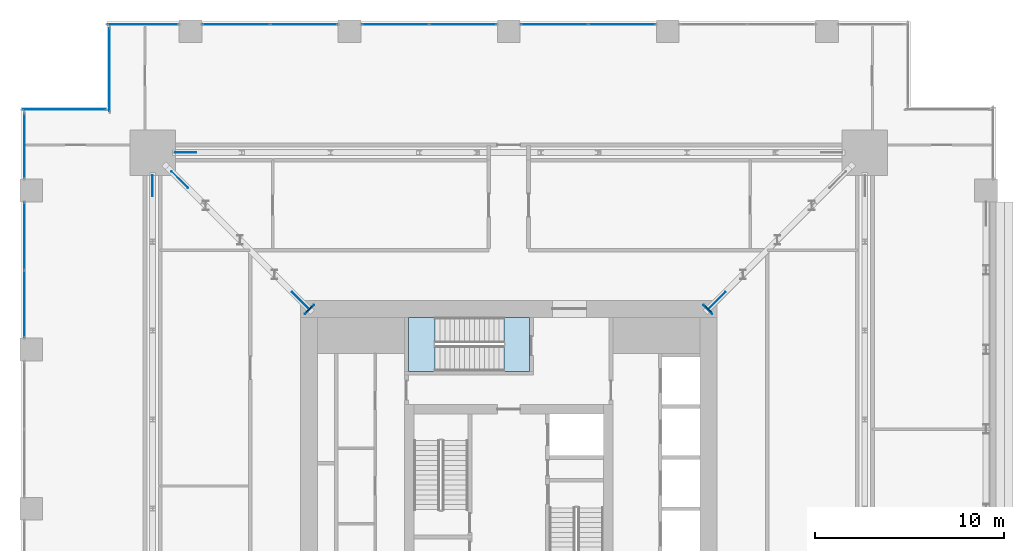
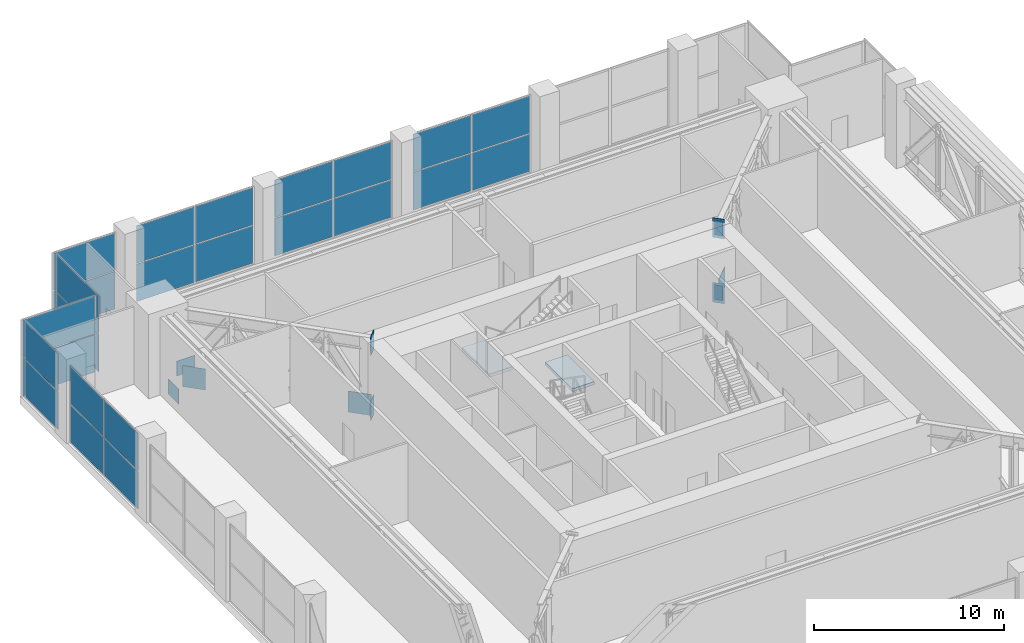
# One storey, part 14 of 21: 37 plates, 2 slabs, 9 elements without a shape of their own.
"""IFC4 building model written with IfcOpenShell, lengths in metres."""

import ifcopenshell
import ifcopenshell.guid

model = None  # the IFC model being written
_history = None  # IfcOwnerHistory: only IFC2X3 demands one
_inside = {}  # id of a spatial element -> (the spatial element, [elements in it])
_under = {}  # id of a project, library or spatial element -> (it, [spatial elements below it])
_declared = {}  # id of a project -> (the project, [libraries it declares])
_typed = {}  # id of a type object -> (the type object, [elements of that type])
_made_of = {}  # id of a material, layer set ... -> (it, [elements and type objects made of it])


def new_model(schema):
    """Start an empty IFC model of exactly this schema.

    Asked for "IFC4X3", IfcOpenShell would pick the latest addendum, in which some entities
    have other attributes; the version numbers below select the first issue.
    IFC2X3 requires an IfcOwnerHistory on every rooted entity: one is made here for all.
    """
    global model, _history
    if schema == "IFC4X3":
        model = ifcopenshell.file(schema_version=(4, 3, 0, 0))
    else:
        model = ifcopenshell.file(schema=schema)
    _inside.clear()
    _under.clear()
    _declared.clear()
    _typed.clear()
    _made_of.clear()
    _history = None
    if model.schema == "IFC2X3":
        org = make("IfcOrganization", Name="unknown")
        user = make(
            "IfcPersonAndOrganization",
            ThePerson=make("IfcPerson", FamilyName="unknown"),
            TheOrganization=org,
        )
        app = make(
            "IfcApplication",
            ApplicationDeveloper=org,
            Version="unknown",
            ApplicationFullName="unknown",
            ApplicationIdentifier="unknown",
        )
        _history = make(
            "IfcOwnerHistory",
            OwningUser=user,
            OwningApplication=app,
            ChangeAction="ADDED",
            CreationDate=0,
        )
    return model


def make(cls, **values):
    """One entity of the class cls with the attributes given. An attribute that is None is left unset."""
    return model.create_entity(
        cls, **{name: value for name, value in values.items() if value is not None}
    )


def rooted(cls, **values):
    """An entity with a GlobalId (a new one), such as an element, a storey or a relation."""
    return make(cls, GlobalId=ifcopenshell.guid.new(), OwnerHistory=_history, **values)


def si_unit(unit_type, name, prefix=None):
    """IfcSIUnit, for example si_unit("LENGTHUNIT", "METRE", prefix="MILLI")."""
    return make("IfcSIUnit", UnitType=unit_type, Prefix=prefix, Name=name)


def assignment(units):
    """IfcUnitAssignment: the units of a project."""
    return None if units is None else make("IfcUnitAssignment", Units=units)


def point(xyz):
    """IfcCartesianPoint."""
    return None if xyz is None else make("IfcCartesianPoint", Coordinates=xyz)


def direction(xyz):
    """IfcDirection."""
    return None if xyz is None else make("IfcDirection", DirectionRatios=xyz)


def frame(location, z_axis=None, x_axis=None):
    """IfcAxis2Placement3D, a coordinate frame: its origin and axes. An axis left out is left unset."""
    return make(
        "IfcAxis2Placement3D",
        Location=point(location),
        Axis=direction(z_axis),
        RefDirection=direction(x_axis),
    )


def frame_2d(location, x_axis=None):
    """IfcAxis2Placement2D, a coordinate frame in the plane: its origin and x axis."""
    return make(
        "IfcAxis2Placement2D", Location=point(location), RefDirection=direction(x_axis)
    )


def origin():
    """The frame at (0, 0, 0) with its axes left unset."""
    return frame((0.0, 0.0, 0.0))


def origin_2d():
    """The frame at (0, 0) in the plane with its x axis left unset."""
    return frame_2d((0.0, 0.0))


def place(relative_to, where):
    """IfcLocalPlacement: puts the frame where relative to a parent placement (None: the world)."""
    return make(
        "IfcLocalPlacement", PlacementRelTo=relative_to, RelativePlacement=where
    )


def context(
    kind, dimensions, precision=None, world=None, true_north=None, identifier=None
):
    """IfcGeometricRepresentationContext, for example the 3D "Model" context."""
    return make(
        "IfcGeometricRepresentationContext",
        ContextIdentifier=identifier,
        ContextType=kind,
        CoordinateSpaceDimension=dimensions,
        Precision=precision,
        WorldCoordinateSystem=world,
        TrueNorth=true_north,
    )


def subcontext(parent, identifier, kind, view, scale=None):
    """IfcGeometricRepresentationSubContext, for example "Body" below "Model"."""
    return make(
        "IfcGeometricRepresentationSubContext",
        ContextIdentifier=identifier,
        ContextType=kind,
        ParentContext=parent,
        TargetScale=scale,
        TargetView=view,
    )


def project(units=None, contexts=None):
    """IfcProject with its units and contexts."""
    return rooted(
        "IfcProject",
        Name="project",
        RepresentationContexts=contexts,
        UnitsInContext=assignment(units),
    )


def spatial(cls, under=None, at=None, **own):
    """A site, building, storey or space (cls), placed at a placement, below another one or the project."""
    s = rooted(cls, ObjectPlacement=at, **own)
    if under is not None:
        _under.setdefault(under.id(), (under, []))[1].append(s)
    return s


def polyline(points):
    """IfcPolyline through the points."""
    return make("IfcPolyline", Points=[point(p) for p in points])


def profile(cls, at=None, kind="AREA", **sizes):
    """A parametric profile (cls). Its sizes go by their IFC names, for example OverallWidth=200.0."""
    return make(cls, ProfileType=kind, Position=at, **sizes)


def rectangle(**sizes):
    """IfcRectangleProfileDef."""
    return profile("IfcRectangleProfileDef", **sizes)


def outline(outer, holes=None, kind="AREA"):
    """IfcArbitraryClosedProfileDef: a profile drawn as a closed curve; with holes, ...WithVoids."""
    if holes is None:
        return make("IfcArbitraryClosedProfileDef", ProfileType=kind, OuterCurve=outer)
    return make(
        "IfcArbitraryProfileDefWithVoids",
        ProfileType=kind,
        OuterCurve=outer,
        InnerCurves=holes,
    )


def extrude(swept, where, along, depth):
    """IfcExtrudedAreaSolid: the profile swept, set in the frame where, extruded along a direction by depth."""
    return make(
        "IfcExtrudedAreaSolid",
        SweptArea=swept,
        Position=where,
        ExtrudedDirection=direction(along),
        Depth=depth,
    )


def shape(context_of_items, identifier, shape_type, items):
    """IfcShapeRepresentation: the items that make up one representation, for example the "Body"."""
    return make(
        "IfcShapeRepresentation",
        ContextOfItems=context_of_items,
        RepresentationIdentifier=identifier,
        RepresentationType=shape_type,
        Items=items,
    )


def material(Name=None, Category=None):
    """IfcMaterial."""
    return make("IfcMaterial", Name=Name, Category=Category)


def layer(
    of_material, thickness, ventilated=None, Name=None, Category=None, Priority=None
):
    """IfcMaterialLayer: one layer of a wall or slab, of a material (None: an air gap)."""
    return make(
        "IfcMaterialLayer",
        Material=of_material,
        LayerThickness=thickness,
        IsVentilated=ventilated,
        Name=Name,
        Category=Category,
        Priority=Priority,
    )


def layer_set(layers, Name=None):
    """IfcMaterialLayerSet."""
    return make("IfcMaterialLayerSet", MaterialLayers=layers, LayerSetName=Name)


def made_of(thing, what):
    """Note that an element or type object is made of a material, layer set ...; save() writes the relation."""
    if what is not None:
        _made_of.setdefault(what.id(), (what, []))[1].append(thing)
    return thing


def type_object(cls, material=None, **own):
    """A type object (cls), such as IfcWallType, which elements share."""
    return made_of(rooted(cls, **own), material)


def element(
    cls,
    number,
    at=None,
    inside=None,
    cuts=None,
    type_object=None,
    material=None,
    context=None,
    identifier="Body",
    shape_type=None,
    held_by="IfcProductDefinitionShape",
    body=None,
    shapes=None,
    **own,
):
    """One element of the class cls, such as IfcWall. Its Tag is "e" and its number.

    at: its placement. inside: the storey or other place that contains it. cuts: it is an
    opening in that element (IfcRelVoidsElement). A single representation is given by context,
    identifier, shape_type and body (its items); several are given by shapes. held_by: the class
    of the entity that holds the representations. save() writes the other relations.
    """
    e = rooted(cls, Tag="e%d" % number, ObjectPlacement=at, **own)
    if body is not None:
        shapes = [shape(context, identifier, shape_type, body)]
    if shapes is not None:
        e.Representation = make(held_by, Representations=shapes)
    if inside is not None:
        _inside.setdefault(inside.id(), (inside, []))[1].append(e)
    if cuts is not None:
        rooted(
            "IfcRelVoidsElement", RelatingBuildingElement=cuts, RelatedOpeningElement=e
        )
    if type_object is not None:
        _typed.setdefault(type_object.id(), (type_object, []))[1].append(e)
    return made_of(e, material)


def aggregate(whole, parts):
    """IfcRelAggregates: a whole, such as a stair, and the parts it consists of."""
    return rooted("IfcRelAggregates", RelatingObject=whole, RelatedObjects=parts)


def save(model, path):
    """Write the relations noted so far, then the file.

    IfcRelAggregates (storeys below a building ...), IfcRelContainedInSpatialStructure (elements
    in a storey), IfcRelDefinesByType, IfcRelAssociatesMaterial and IfcRelDeclares: one each for
    every whole, place, type object, material and project.
    """
    for whole, parts in _under.values():
        aggregate(whole, parts)
    for where, things in _inside.values():
        rooted(
            "IfcRelContainedInSpatialStructure",
            RelatedElements=things,
            RelatingStructure=where,
        )
    for kind, things in _typed.values():
        rooted("IfcRelDefinesByType", RelatedObjects=things, RelatingType=kind)
    for what, things in _made_of.values():
        rooted("IfcRelAssociatesMaterial", RelatedObjects=things, RelatingMaterial=what)
    for by, libraries in _declared.values():
        rooted("IfcRelDeclares", RelatingContext=by, RelatedDefinitions=libraries)
    model.write(path)


model = new_model("IFC4")

# Units and contexts
model_context = context("Model", 3, precision=1e-05, world=origin(), true_north=direction((0.0, 1.0)))
body_context = subcontext(model_context, "Body", "Model", "MODEL_VIEW")
ifc_project = project(units=[si_unit("LENGTHUNIT", "METRE"), si_unit("AREAUNIT", "SQUARE_METRE"), si_unit("VOLUMEUNIT", "CUBIC_METRE"), si_unit("PLANEANGLEUNIT", "RADIAN"), si_unit("MASSUNIT", "GRAM", prefix="KILO")], contexts=[model_context])

# Site, building, storey
site_placement = place(None, origin())
site = spatial("IfcSite", under=ifc_project, at=site_placement, CompositionType="ELEMENT")
building_placement = place(site_placement, origin())
building = spatial("IfcBuilding", under=site, at=building_placement, Name="Khepri Terraces", CompositionType="ELEMENT")
storey_placement = place(building_placement, frame((0.0, 0.0, 235.199951171875)))
storey = spatial("IfcBuildingStorey", under=building, at=storey_placement, Name="L56", CompositionType="ELEMENT", Elevation=235.199951171875)

# Curtain wall, plates
ifc_material_1 = material(Name="Anodised aluminium bronze curtain wall", Category="aluminium")
curtain_wall_type = type_object("IfcCurtainWallType", Name="CW-SYS3-SKY", PredefinedType="NOTDEFINED", material=ifc_material_1)
curtain_wall_1_placement = place(storey_placement, origin())
curtain_wall_1 = element("IfcCurtainWall", 1, at=curtain_wall_1_placement, inside=storey, type_object=curtain_wall_type, Name="Curtain wall CW3 L56 N", PredefinedType="NOTDEFINED")
ifc_material_2 = material(Name="Clear glass", Category="glass")
ifc_layer_1 = layer(ifc_material_2, 0.028076171875, Name="Clear glass", Category="glass")
ifc_layer_set_1 = layer_set([ifc_layer_1], Name="Clear glass")
plate_type_1 = type_object("IfcPlateType", Name="CW-PANEL-VISION-28", PredefinedType="CURTAIN_PANEL", material=ifc_layer_set_1)
plate_1_placement = place(storey_placement, frame((5.985107421875, 25.570068359375, 0.06005859375), z_axis=(0.0, 0.0, 1.0), x_axis=(-1.0, 0.0, 0.0)))
plate_1 = element("IfcPlate", 2, at=plate_1_placement, type_object=plate_type_1, Name="CW3 panel 1.1", PredefinedType="CURTAIN_PANEL", context=body_context, shape_type="SweptSolid", body=[
    extrude(rectangle(XDim=3.510009765625, YDim=0.028076171875, at=origin_2d()), origin(), (0.0, 0.0, 1.0), 2.39990234375),
])
plate_2_placement = place(storey_placement, frame((5.985107421875, 25.570068359375, 2.52001953125), z_axis=(0.0, 0.0, 1.0), x_axis=(-1.0, 0.0, 0.0)))
plate_2 = element("IfcPlate", 3, at=plate_2_placement, type_object=plate_type_1, Name="CW3 panel 1.2", PredefinedType="CURTAIN_PANEL", context=body_context, shape_type="SweptSolid", body=[
    extrude(rectangle(XDim=3.510009765625, YDim=0.028076171875, at=origin_2d()), origin(), (0.0, 0.0, 1.0), 2.39990234375),
])
plate_3_placement = place(storey_placement, frame((2.4150390625, 25.570068359375, 0.06005859375), z_axis=(0.0, 0.0, 1.0), x_axis=(-1.0, 0.0, 0.0)))
plate_3 = element("IfcPlate", 4, at=plate_3_placement, type_object=plate_type_1, Name="CW3 panel 2.1", PredefinedType="CURTAIN_PANEL", context=body_context, shape_type="SweptSolid", body=[
    extrude(rectangle(XDim=3.510009765625, YDim=0.028076171875, at=origin_2d()), origin(), (0.0, 0.0, 1.0), 2.39990234375),
])
plate_4_placement = place(storey_placement, frame((2.4150390625, 25.570068359375, 2.52001953125), z_axis=(0.0, 0.0, 1.0), x_axis=(-1.0, 0.0, 0.0)))
plate_4 = element("IfcPlate", 5, at=plate_4_placement, type_object=plate_type_1, Name="CW3 panel 2.2", PredefinedType="CURTAIN_PANEL", context=body_context, shape_type="SweptSolid", body=[
    extrude(rectangle(XDim=3.510009765625, YDim=0.028076171875, at=origin_2d()), origin(), (0.0, 0.0, 1.0), 2.39990234375),
])
aggregate(curtain_wall_1, [plate_1, plate_2, plate_3, plate_4])

curtain_wall_2_placement = place(storey_placement, origin())
curtain_wall_2 = element("IfcCurtainWall", 6, at=curtain_wall_2_placement, inside=storey, type_object=curtain_wall_type, Name="Curtain wall CW3 L56 N", PredefinedType="NOTDEFINED")
plate_5_placement = place(storey_placement, frame((-2.4150390625, 25.570068359375, 0.06005859375), z_axis=(0.0, 0.0, 1.0), x_axis=(-1.0, 0.0, 0.0)))
plate_5 = element("IfcPlate", 7, at=plate_5_placement, type_object=plate_type_1, Name="CW3 panel 1.1", PredefinedType="CURTAIN_PANEL", context=body_context, shape_type="SweptSolid", body=[
    extrude(rectangle(XDim=3.510009765625, YDim=0.028076171875, at=origin_2d()), origin(), (0.0, 0.0, 1.0), 2.39990234375),
])
plate_6_placement = place(storey_placement, frame((-2.4150390625, 25.570068359375, 2.52001953125), z_axis=(0.0, 0.0, 1.0), x_axis=(-1.0, 0.0, 0.0)))
plate_6 = element("IfcPlate", 8, at=plate_6_placement, type_object=plate_type_1, Name="CW3 panel 1.2", PredefinedType="CURTAIN_PANEL", context=body_context, shape_type="SweptSolid", body=[
    extrude(rectangle(XDim=3.510009765625, YDim=0.028076171875, at=origin_2d()), origin(), (0.0, 0.0, 1.0), 2.39990234375),
])
plate_7_placement = place(storey_placement, frame((-5.985107421875, 25.570068359375, 0.06005859375), z_axis=(0.0, 0.0, 1.0), x_axis=(-1.0, 0.0, 0.0)))
plate_7 = element("IfcPlate", 9, at=plate_7_placement, type_object=plate_type_1, Name="CW3 panel 2.1", PredefinedType="CURTAIN_PANEL", context=body_context, shape_type="SweptSolid", body=[
    extrude(rectangle(XDim=3.510009765625, YDim=0.028076171875, at=origin_2d()), origin(), (0.0, 0.0, 1.0), 2.39990234375),
])
plate_8_placement = place(storey_placement, frame((-5.985107421875, 25.570068359375, 2.52001953125), z_axis=(0.0, 0.0, 1.0), x_axis=(-1.0, 0.0, 0.0)))
plate_8 = element("IfcPlate", 10, at=plate_8_placement, type_object=plate_type_1, Name="CW3 panel 2.2", PredefinedType="CURTAIN_PANEL", context=body_context, shape_type="SweptSolid", body=[
    extrude(rectangle(XDim=3.510009765625, YDim=0.028076171875, at=origin_2d()), origin(), (0.0, 0.0, 1.0), 2.39990234375),
])
aggregate(curtain_wall_2, [plate_5, plate_6, plate_7, plate_8])

curtain_wall_3_placement = place(storey_placement, origin())
curtain_wall_3 = element("IfcCurtainWall", 11, at=curtain_wall_3_placement, inside=storey, type_object=curtain_wall_type, Name="Curtain wall CW3 L56 N", PredefinedType="NOTDEFINED")
plate_9_placement = place(storey_placement, frame((-10.81494140625, 25.570068359375, 0.06005859375), z_axis=(0.0, 0.0, 1.0), x_axis=(-1.0, 0.0, 0.0)))
plate_9 = element("IfcPlate", 12, at=plate_9_placement, type_object=plate_type_1, Name="CW3 panel 1.1", PredefinedType="CURTAIN_PANEL", context=body_context, shape_type="SweptSolid", body=[
    extrude(rectangle(XDim=3.510009765625, YDim=0.028076171875, at=origin_2d()), origin(), (0.0, 0.0, 1.0), 2.39990234375),
])
plate_10_placement = place(storey_placement, frame((-10.81494140625, 25.570068359375, 2.52001953125), z_axis=(0.0, 0.0, 1.0), x_axis=(-1.0, 0.0, 0.0)))
plate_10 = element("IfcPlate", 13, at=plate_10_placement, type_object=plate_type_1, Name="CW3 panel 1.2", PredefinedType="CURTAIN_PANEL", context=body_context, shape_type="SweptSolid", body=[
    extrude(rectangle(XDim=3.510009765625, YDim=0.028076171875, at=origin_2d()), origin(), (0.0, 0.0, 1.0), 2.39990234375),
])
plate_11_placement = place(storey_placement, frame((-14.385009765625, 25.570068359375, 0.06005859375), z_axis=(0.0, 0.0, 1.0), x_axis=(-1.0, 0.0, 0.0)))
plate_11 = element("IfcPlate", 14, at=plate_11_placement, type_object=plate_type_1, Name="CW3 panel 2.1", PredefinedType="CURTAIN_PANEL", context=body_context, shape_type="SweptSolid", body=[
    extrude(rectangle(XDim=3.510009765625, YDim=0.028076171875, at=origin_2d()), origin(), (0.0, 0.0, 1.0), 2.39990234375),
])
plate_12_placement = place(storey_placement, frame((-14.385009765625, 25.570068359375, 2.52001953125), z_axis=(0.0, 0.0, 1.0), x_axis=(-1.0, 0.0, 0.0)))
plate_12 = element("IfcPlate", 15, at=plate_12_placement, type_object=plate_type_1, Name="CW3 panel 2.2", PredefinedType="CURTAIN_PANEL", context=body_context, shape_type="SweptSolid", body=[
    extrude(rectangle(XDim=3.510009765625, YDim=0.028076171875, at=origin_2d()), origin(), (0.0, 0.0, 1.0), 2.39990234375),
])
aggregate(curtain_wall_3, [plate_9, plate_10, plate_11, plate_12])

curtain_wall_4_placement = place(storey_placement, origin())
curtain_wall_4 = element("IfcCurtainWall", 16, at=curtain_wall_4_placement, inside=storey, type_object=curtain_wall_type, Name="Curtain wall CW3 L56 N", PredefinedType="NOTDEFINED")
plate_13_placement = place(storey_placement, frame((-19.31005859375, 25.570068359375, 0.06005859375), z_axis=(0.0, 0.0, 1.0), x_axis=(-1.0, 0.0, 0.0)))
plate_13 = element("IfcPlate", 17, at=plate_13_placement, type_object=plate_type_1, Name="CW3 panel 1.1", PredefinedType="CURTAIN_PANEL", context=body_context, shape_type="SweptSolid", body=[
    extrude(rectangle(XDim=3.699951171875, YDim=0.028076171875, at=origin_2d()), origin(), (0.0, 0.0, 1.0), 2.39990234375),
])
plate_14_placement = place(storey_placement, frame((-19.31005859375, 25.570068359375, 2.52001953125), z_axis=(0.0, 0.0, 1.0), x_axis=(-1.0, 0.0, 0.0)))
plate_14 = element("IfcPlate", 18, at=plate_14_placement, type_object=plate_type_1, Name="CW3 panel 1.2", PredefinedType="CURTAIN_PANEL", context=body_context, shape_type="SweptSolid", body=[
    extrude(rectangle(XDim=3.699951171875, YDim=0.028076171875, at=origin_2d()), origin(), (0.0, 0.0, 1.0), 2.39990234375),
])
aggregate(curtain_wall_4, [plate_13, plate_14])

curtain_wall_5_placement = place(storey_placement, origin())
curtain_wall_5 = element("IfcCurtainWall", 19, at=curtain_wall_5_placement, inside=storey, type_object=curtain_wall_type, Name="Curtain wall CW3 L56 W", PredefinedType="NOTDEFINED")
plate_15_placement = place(storey_placement, frame((-21.070068359375, 23.169921875, 0.06005859375), z_axis=(0.0, 0.0, 1.0), x_axis=(0.0, -1.0, 0.0)))
plate_15 = element("IfcPlate", 20, at=plate_15_placement, type_object=plate_type_1, Name="CW3 panel 1.1", PredefinedType="CURTAIN_PANEL", context=body_context, shape_type="SweptSolid", body=[
    extrude(rectangle(XDim=4.3798828125, YDim=0.028076171875, at=origin_2d()), origin(), (0.0, 0.0, 1.0), 2.39990234375),
])
plate_16_placement = place(storey_placement, frame((-21.070068359375, 23.169921875, 2.52001953125), z_axis=(0.0, 0.0, 1.0), x_axis=(0.0, -1.0, 0.0)))
plate_16 = element("IfcPlate", 21, at=plate_16_placement, type_object=plate_type_1, Name="CW3 panel 1.2", PredefinedType="CURTAIN_PANEL", context=body_context, shape_type="SweptSolid", body=[
    extrude(rectangle(XDim=4.3798828125, YDim=0.028076171875, at=origin_2d()), origin(), (0.0, 0.0, 1.0), 2.39990234375),
])
aggregate(curtain_wall_5, [plate_15, plate_16])

curtain_wall_6_placement = place(storey_placement, origin())
curtain_wall_6 = element("IfcCurtainWall", 22, at=curtain_wall_6_placement, inside=storey, type_object=curtain_wall_type, Name="Curtain wall CW3 L56 N", PredefinedType="NOTDEFINED")
plate_17_placement = place(storey_placement, frame((-23.469970703125, 21.070068359375, 0.06005859375), z_axis=(0.0, 0.0, 1.0), x_axis=(-1.0, 0.0, 0.0)))
plate_17 = element("IfcPlate", 23, at=plate_17_placement, type_object=plate_type_1, Name="CW3 panel 1.1", PredefinedType="CURTAIN_PANEL", context=body_context, shape_type="SweptSolid", body=[
    extrude(rectangle(XDim=4.3798828125, YDim=0.028076171875, at=origin_2d()), origin(), (0.0, 0.0, 1.0), 2.39990234375),
])
plate_18_placement = place(storey_placement, frame((-23.469970703125, 21.070068359375, 2.52001953125), z_axis=(0.0, 0.0, 1.0), x_axis=(-1.0, 0.0, 0.0)))
plate_18 = element("IfcPlate", 24, at=plate_18_placement, type_object=plate_type_1, Name="CW3 panel 1.2", PredefinedType="CURTAIN_PANEL", context=body_context, shape_type="SweptSolid", body=[
    extrude(rectangle(XDim=4.3798828125, YDim=0.028076171875, at=origin_2d()), origin(), (0.0, 0.0, 1.0), 2.39990234375),
])
aggregate(curtain_wall_6, [plate_17, plate_18])

curtain_wall_7_placement = place(storey_placement, origin())
curtain_wall_7 = element("IfcCurtainWall", 25, at=curtain_wall_7_placement, inside=storey, type_object=curtain_wall_type, Name="Curtain wall CW3 L56 W", PredefinedType="NOTDEFINED")
plate_19_placement = place(storey_placement, frame((-25.570068359375, 19.159912109375, 0.06005859375), z_axis=(0.0, 0.0, 1.0), x_axis=(0.0, -1.0, 0.0)))
plate_19 = element("IfcPlate", 26, at=plate_19_placement, type_object=plate_type_1, Name="CW3 panel 1.1", PredefinedType="CURTAIN_PANEL", context=body_context, shape_type="SweptSolid", body=[
    extrude(rectangle(XDim=3.39990234375, YDim=0.028076171875, at=origin_2d()), origin(), (0.0, 0.0, 1.0), 2.39990234375),
])
plate_20_placement = place(storey_placement, frame((-25.570068359375, 19.159912109375, 2.52001953125), z_axis=(0.0, 0.0, 1.0), x_axis=(0.0, -1.0, 0.0)))
plate_20 = element("IfcPlate", 27, at=plate_20_placement, type_object=plate_type_1, Name="CW3 panel 1.2", PredefinedType="CURTAIN_PANEL", context=body_context, shape_type="SweptSolid", body=[
    extrude(rectangle(XDim=3.39990234375, YDim=0.028076171875, at=origin_2d()), origin(), (0.0, 0.0, 1.0), 2.39990234375),
])
aggregate(curtain_wall_7, [plate_19, plate_20])

curtain_wall_8_placement = place(storey_placement, origin())
curtain_wall_8 = element("IfcCurtainWall", 28, at=curtain_wall_8_placement, inside=storey, type_object=curtain_wall_type, Name="Curtain wall CW3 L56 W", PredefinedType="NOTDEFINED")
plate_21_placement = place(storey_placement, frame((-25.570068359375, 14.385009765625, 0.06005859375), z_axis=(0.0, 0.0, 1.0), x_axis=(0.0, -1.0, 0.0)))
plate_21 = element("IfcPlate", 29, at=plate_21_placement, type_object=plate_type_1, Name="CW3 panel 1.1", PredefinedType="CURTAIN_PANEL", context=body_context, shape_type="SweptSolid", body=[
    extrude(rectangle(XDim=3.510009765625, YDim=0.028076171875, at=origin_2d()), origin(), (0.0, 0.0, 1.0), 2.39990234375),
])
plate_22_placement = place(storey_placement, frame((-25.570068359375, 14.385009765625, 2.52001953125), z_axis=(0.0, 0.0, 1.0), x_axis=(0.0, -1.0, 0.0)))
plate_22 = element("IfcPlate", 30, at=plate_22_placement, type_object=plate_type_1, Name="CW3 panel 1.2", PredefinedType="CURTAIN_PANEL", context=body_context, shape_type="SweptSolid", body=[
    extrude(rectangle(XDim=3.510009765625, YDim=0.028076171875, at=origin_2d()), origin(), (0.0, 0.0, 1.0), 2.39990234375),
])
plate_23_placement = place(storey_placement, frame((-25.570068359375, 10.81494140625, 0.06005859375), z_axis=(0.0, 0.0, 1.0), x_axis=(0.0, -1.0, 0.0)))
plate_23 = element("IfcPlate", 31, at=plate_23_placement, type_object=plate_type_1, Name="CW3 panel 2.1", PredefinedType="CURTAIN_PANEL", context=body_context, shape_type="SweptSolid", body=[
    extrude(rectangle(XDim=3.510009765625, YDim=0.028076171875, at=origin_2d()), origin(), (0.0, 0.0, 1.0), 2.39990234375),
])
plate_24_placement = place(storey_placement, frame((-25.570068359375, 10.81494140625, 2.52001953125), z_axis=(0.0, 0.0, 1.0), x_axis=(0.0, -1.0, 0.0)))
plate_24 = element("IfcPlate", 32, at=plate_24_placement, type_object=plate_type_1, Name="CW3 panel 2.2", PredefinedType="CURTAIN_PANEL", context=body_context, shape_type="SweptSolid", body=[
    extrude(rectangle(XDim=3.510009765625, YDim=0.028076171875, at=origin_2d()), origin(), (0.0, 0.0, 1.0), 2.39990234375),
])
aggregate(curtain_wall_8, [plate_21, plate_22, plate_23, plate_24])

# Plates
ifc_material_3 = material(Name="Steel S355", Category="steel")
ifc_layer_2 = layer(ifc_material_3, 0.030029296875, Name="Steel S355", Category="steel")
ifc_layer_set_2 = layer_set([ifc_layer_2], Name="Steel S355")
plate_type_2 = type_object("IfcPlateType", Name="Cast-in plate 1250x650x30", PredefinedType="USERDEFINED", material=ifc_layer_set_2)
for number, where, z_axis, x_axis, name in (
    (33, (10.5146484375, 10.5146484375, -0.218017578125), (0.0, 0.0, 1.0), (0.707106781187, 0.707106781187, 0.0), "CAST-IN PLATE OT-56-EN BOT wall A"),
    (34, (10.5146484375, 10.5146484375, 3.947998046875), (0.0, 0.0, 1.0), (0.707106781187, 0.707106781187, 0.0), "CAST-IN PLATE OT-56-EN TOP wall A"),
    (35, (-10.5146484375, 10.5146484375, -0.218017578125), (0.0, 0.0, 1.0), (-0.707106781187, 0.707106781187, 0.0), "CAST-IN PLATE OT-56-WN BOT wall A"),
    (36, (-10.5146484375, 10.5146484375, 3.947998046875), (0.0, 0.0, 1.0), (-0.707106781187, 0.707106781187, 0.0), "CAST-IN PLATE OT-56-WN TOP wall A"),
):
    element("IfcPlate", number, at=place(storey_placement, frame(where, z_axis=z_axis, x_axis=x_axis)), inside=storey, type_object=plate_type_2, Name=name, ObjectType="CAST-IN PLATE", PredefinedType="USERDEFINED", context=body_context, shape_type="SweptSolid", body=[
        extrude(rectangle(XDim=0.030029296875, YDim=0.64990234375, at=origin_2d()), origin(), (0.0, 0.0, 1.0), 1.25),
    ])
ifc_layer_3 = layer(ifc_material_3, 0.034912109375, Name="Steel S355", Category="steel")
ifc_layer_set_3 = layer_set([ifc_layer_3], Name="Steel S355")
plate_type_3 = type_object("IfcPlateType", Name="End plate 950x450x35", PredefinedType="USERDEFINED", material=ifc_layer_set_3)
for number, where, z_axis, x_axis, name in (
    (37, (10.53759765625, 10.53759765625, -0.06787109375), (0.0, 0.0, 1.0), (0.707106781187, 0.707106781187, 0.0), "END PLATE OT-56-EN BOT end A"),
    (38, (10.53759765625, 10.53759765625, 4.09814453125), (0.0, 0.0, 1.0), (0.707106781187, 0.707106781187, 0.0), "END PLATE OT-56-EN TOP end A"),
    (39, (-10.53759765625, 10.53759765625, -0.06787109375), (0.0, 0.0, 1.0), (-0.707106781187, 0.707106781187, 0.0), "END PLATE OT-56-WN BOT end A"),
    (40, (-10.53759765625, 10.53759765625, 4.09814453125), (0.0, 0.0, 1.0), (-0.707106781187, 0.707106781187, 0.0), "END PLATE OT-56-WN TOP end A"),
):
    element("IfcPlate", number, at=place(storey_placement, frame(where, z_axis=z_axis, x_axis=x_axis)), inside=storey, type_object=plate_type_3, Name=name, ObjectType="END PLATE", PredefinedType="USERDEFINED", context=body_context, shape_type="SweptSolid", body=[
        extrude(rectangle(XDim=0.034912109375, YDim=0.449951171875, at=origin_2d()), origin(), (0.0, 0.0, 1.0), 0.949951171875),
    ])
ifc_layer_4 = layer(ifc_material_3, 0.02490234375, Name="Steel S355", Category="steel")
ifc_layer_set_4 = layer_set([ifc_layer_4], Name="Steel S355")
plate_type_4 = type_object("IfcPlateType", Name="Gusset plate 1100x950x25", PredefinedType="USERDEFINED", material=ifc_layer_set_4)
for number, where, z_axis, x_axis, name in (
    (41, (-17.050048828125, 18.800048828125, -0.10009765625), (0.0, 0.0, 1.0), (-1.0, 0.0, 0.0), "GUSSET PLATE BT-56-N column node B"),
    (42, (-18.800048828125, 17.050048828125, -0.10009765625), (0.0, 0.0, 1.0), (0.0, -1.0, 0.0), "GUSSET PLATE BT-56-W column node A"),
):
    element("IfcPlate", number, at=place(storey_placement, frame(where, z_axis=z_axis, x_axis=x_axis)), inside=storey, type_object=plate_type_4, Name=name, ObjectType="GUSSET PLATE", PredefinedType="USERDEFINED", context=body_context, shape_type="SweptSolid", body=[
        extrude(rectangle(XDim=1.10009765625, YDim=0.02490234375, at=origin_2d()), origin(), (0.0, 0.0, 1.0), 0.949951171875),
    ])
ifc_layer_5 = layer(ifc_material_3, 0.030029296875, Name="Steel S355", Category="steel")
ifc_layer_set_5 = layer_set([ifc_layer_5], Name="Steel S355")
plate_type_5 = type_object("IfcPlateType", Name="Gusset plate 1250x1350x30", PredefinedType="USERDEFINED", material=ifc_layer_set_5)
for number, where, z_axis, x_axis, name in (
    (43, (10.991943359375, 10.991943359375, -0.10009765625), (0.0, 0.0, 1.0), (0.707106781187, 0.707106781187, 0.0), "GUSSET PLATE OT-56-EN node A"),
    (44, (-10.991943359375, 10.991943359375, -0.10009765625), (0.0, 0.0, 1.0), (-0.707106781187, 0.707106781187, 0.0), "GUSSET PLATE OT-56-WN node A"),
    (45, (-17.3701171875, 17.3701171875, -0.10009765625), (0.0, 0.0, 1.0), (-0.707106781187, 0.707106781187, 0.0), "GUSSET PLATE OT-56-WN column node B"),
):
    element("IfcPlate", number, at=place(storey_placement, frame(where, z_axis=z_axis, x_axis=x_axis)), inside=storey, type_object=plate_type_5, Name=name, ObjectType="GUSSET PLATE", PredefinedType="USERDEFINED", context=body_context, shape_type="SweptSolid", body=[
        extrude(rectangle(XDim=1.25, YDim=0.030029296875, at=origin_2d()), origin(), (0.0, 0.0, 1.0), 1.35009765625),
    ])

# Stair, slabs
ifc_material_4 = material(Name="Concrete C40/50", Category="concrete")
stair_type = type_object("IfcStairType", Name="STAIR-RC-30R", PredefinedType="HALF_TURN_STAIR", material=ifc_material_4)
stair_placement = place(storey_placement, origin())
stair = element("IfcStair", 46, at=stair_placement, inside=storey, type_object=stair_type, Name="L56 Exit Stair ST-3", PredefinedType="HALF_TURN_STAIR")
ifc_layer_6 = layer(ifc_material_4, 0.199951171875, Name="Concrete C40/50", Category="concrete")
ifc_layer_set_6 = layer_set([ifc_layer_6], Name="Concrete C40/50")
slab_type = type_object("IfcSlabType", Name="SLB-CORE-LANDING", PredefinedType="LANDING", material=ifc_layer_set_6)
slab_1_placement = place(storey_placement, frame((0.0, 0.0, -0.199951171875)))
slab_1 = element("IfcSlab", 47, at=slab_1_placement, type_object=slab_type, Name="ST-3 landing 1", PredefinedType="LANDING", context=body_context, shape_type="SweptSolid", body=[
    extrude(outline(polyline([(1.10009765625, 10.10009765625), (-0.25, 10.10009765625), (-0.25, 7.25), (1.10009765625, 7.25), (1.10009765625, 10.10009765625)])), origin(), (0.0, 0.0, 1.0), 0.199951171875),
])
slab_2_placement = place(storey_placement, frame((0.0, 0.0, 2.5)))
slab_2 = element("IfcSlab", 48, at=slab_2_placement, type_object=slab_type, Name="ST-3 landing 2", PredefinedType="LANDING", context=body_context, shape_type="SweptSolid", body=[
    extrude(outline(polyline([(-3.889892578125, 10.10009765625), (-5.300048828125, 10.10009765625), (-5.300048828125, 7.25), (-3.889892578125, 7.25), (-3.889892578125, 10.10009765625)])), origin(), (0.0, 0.0, 1.0), 0.199951171875),
])
aggregate(stair, [slab_1, slab_2])

save(model, "model.ifc")
